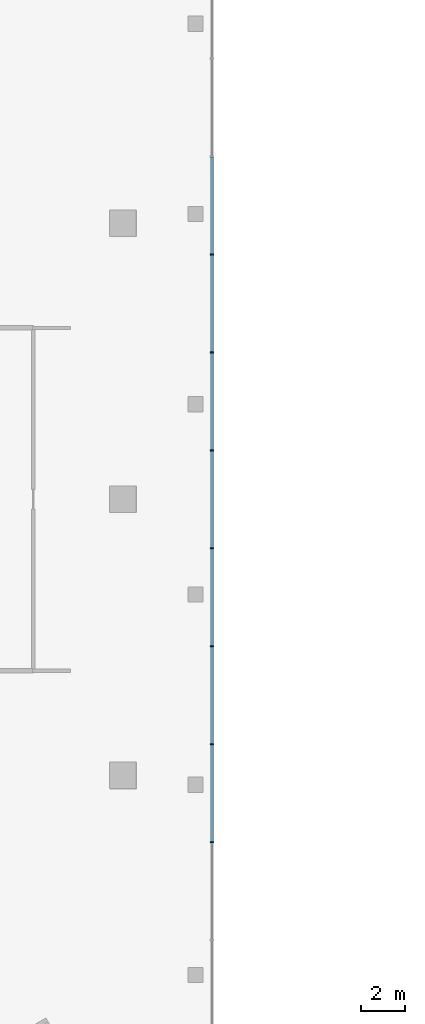
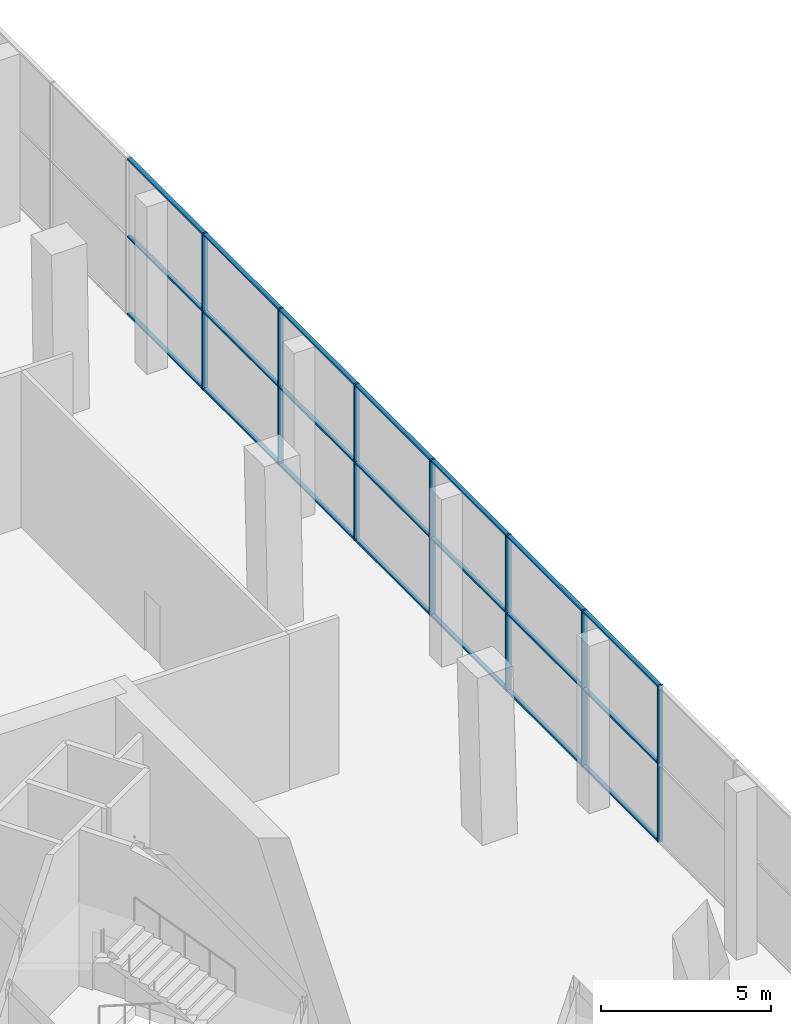
# One storey, part 10 of 51: 28 members, 1 element without a shape of its own.
"""IFC4 building model written with IfcOpenShell, lengths in metres."""

from ifc_helpers import new_model, si_unit, direction, frame, origin, origin_2d, place, context, subcontext, project, spatial, rectangle, extrude, material, layer, layer_set, material_profile, profile_set, type_object, element, aggregate, save


model = new_model("IFC4")

# Units and contexts
model_context = context("Model", 3, precision=1e-05, world=origin(), true_north=direction((0.0, 1.0)))
body_context = subcontext(model_context, "Body", "Model", "MODEL_VIEW")
ifc_project = project(units=[si_unit("LENGTHUNIT", "METRE"), si_unit("AREAUNIT", "SQUARE_METRE"), si_unit("VOLUMEUNIT", "CUBIC_METRE"), si_unit("PLANEANGLEUNIT", "RADIAN"), si_unit("MASSUNIT", "GRAM", prefix="KILO")], contexts=[model_context])

# Site, building, storey
site_placement = place(None, origin())
site = spatial("IfcSite", under=ifc_project, at=site_placement, CompositionType="ELEMENT")
building_placement = place(site_placement, origin())
building = spatial("IfcBuilding", under=site, at=building_placement, Name="Jabali Bay Hotel Tower and Convention Centre", CompositionType="ELEMENT")
storey_placement = place(building_placement, frame((0.0, 0.0, 9.0)))
storey = spatial("IfcBuildingStorey", under=building, at=storey_placement, Name="L01", CompositionType="ELEMENT", Elevation=9.0)

# Curtain wall, members
ifc_material_1 = material(Name="Aluminium and glass", Category="aluminium")
ifc_layer = layer(ifc_material_1, 0.179931640625)
ifc_layer_set = layer_set([ifc_layer], Name="Aluminium and glass")
curtain_wall_type = type_object("IfcCurtainWallType", Name="CW1 curtain wall", PredefinedType="NOTDEFINED", material=ifc_layer_set)
curtain_wall_placement = place(storey_placement, origin())
curtain_wall = element("IfcCurtainWall", 1, at=curtain_wall_placement, inside=storey, type_object=curtain_wall_type, Name="CW1 curtain wall east face L01", PredefinedType="NOTDEFINED")
ifc_material_2 = material(Name="Aluminium", Category="aluminium")
ifc_material_profile_1 = material_profile(ifc_material_2, rectangle(XDim=0.179931640625, YDim=0.06005859375, at=origin_2d()), Name="CW1 mullion 60 x 180")
ifc_profile_set_1 = profile_set([ifc_material_profile_1], Name="Aluminium")
member_type_1 = type_object("IfcMemberType", Name="CW1 mullion 60 x 180", PredefinedType="MULLION", material=ifc_profile_set_1)
member_1_placement = place(storey_placement, frame((103.5, 91.13623046875, 0.0), z_axis=(0.0, 0.0, 1.0), x_axis=(1.0, 0.0, 0.0)))
member_1 = element("IfcMember", 2, at=member_1_placement, type_object=member_type_1, Name="CW1 mullion 7", PredefinedType="MULLION", context=body_context, shape_type="SweptSolid", body=[
    extrude(rectangle(XDim=0.179931640625, YDim=0.06005859375, at=origin_2d()), origin(), (0.0, 0.0, 1.0), 5.60009765625),
])
member_2_placement = place(storey_placement, frame((103.5, 86.681884765625, 0.0), z_axis=(0.0, 0.0, 1.0), x_axis=(1.0, 0.0, 0.0)))
member_2 = element("IfcMember", 3, at=member_2_placement, type_object=member_type_1, Name="CW1 mullion 8", PredefinedType="MULLION", context=body_context, shape_type="SweptSolid", body=[
    extrude(rectangle(XDim=0.179931640625, YDim=0.06005859375, at=origin_2d()), origin(), (0.0, 0.0, 1.0), 5.60009765625),
])
member_3_placement = place(storey_placement, frame((103.5, 82.227294921875, 0.0), z_axis=(0.0, 0.0, 1.0), x_axis=(1.0, 0.0, 0.0)))
member_3 = element("IfcMember", 4, at=member_3_placement, type_object=member_type_1, Name="CW1 mullion 9", PredefinedType="MULLION", context=body_context, shape_type="SweptSolid", body=[
    extrude(rectangle(XDim=0.179931640625, YDim=0.06005859375, at=origin_2d()), origin(), (0.0, 0.0, 1.0), 5.60009765625),
])
member_4_placement = place(storey_placement, frame((103.5, 77.772705078125, 0.0), z_axis=(0.0, 0.0, 1.0), x_axis=(1.0, 0.0, 0.0)))
member_4 = element("IfcMember", 5, at=member_4_placement, type_object=member_type_1, Name="CW1 mullion 10", PredefinedType="MULLION", context=body_context, shape_type="SweptSolid", body=[
    extrude(rectangle(XDim=0.179931640625, YDim=0.06005859375, at=origin_2d()), origin(), (0.0, 0.0, 1.0), 5.60009765625),
])
member_5_placement = place(storey_placement, frame((103.5, 73.318115234375, 0.0), z_axis=(0.0, 0.0, 1.0), x_axis=(1.0, 0.0, 0.0)))
member_5 = element("IfcMember", 6, at=member_5_placement, type_object=member_type_1, Name="CW1 mullion 11", PredefinedType="MULLION", context=body_context, shape_type="SweptSolid", body=[
    extrude(rectangle(XDim=0.179931640625, YDim=0.06005859375, at=origin_2d()), origin(), (0.0, 0.0, 1.0), 5.60009765625),
])
member_6_placement = place(storey_placement, frame((103.5, 68.86376953125, 0.0), z_axis=(0.0, 0.0, 1.0), x_axis=(1.0, 0.0, 0.0)))
member_6 = element("IfcMember", 7, at=member_6_placement, type_object=member_type_1, Name="CW1 mullion 12", PredefinedType="MULLION", context=body_context, shape_type="SweptSolid", body=[
    extrude(rectangle(XDim=0.179931640625, YDim=0.06005859375, at=origin_2d()), origin(), (0.0, 0.0, 1.0), 5.60009765625),
])
member_7_placement = place(storey_placement, frame((103.5, 64.4091796875, 0.0), z_axis=(0.0, 0.0, 1.0), x_axis=(1.0, 0.0, 0.0)))
member_7 = element("IfcMember", 8, at=member_7_placement, type_object=member_type_1, Name="CW1 mullion 13", PredefinedType="MULLION", context=body_context, shape_type="SweptSolid", body=[
    extrude(rectangle(XDim=0.179931640625, YDim=0.06005859375, at=origin_2d()), origin(), (0.0, 0.0, 1.0), 5.60009765625),
])
ifc_material_profile_2 = material_profile(ifc_material_2, rectangle(XDim=0.139892578125, YDim=0.06005859375, at=origin_2d()), Name="CW1 transom 60 x 140")
ifc_profile_set_2 = profile_set([ifc_material_profile_2], Name="Aluminium")
member_type_2 = type_object("IfcMemberType", Name="CW1 transom 60 x 140", PredefinedType="USERDEFINED", material=ifc_profile_set_2)
member_8_placement = place(storey_placement, frame((103.5, 95.560791015625, 0.030029296875), z_axis=(0.0, -1.0, 0.0), x_axis=(1.0, 0.0, 0.0)))
member_8 = element("IfcMember", 9, at=member_8_placement, type_object=member_type_2, Name="CW1 transom 6.1", ObjectType="TRANSOM", PredefinedType="USERDEFINED", context=body_context, shape_type="SweptSolid", body=[
    extrude(rectangle(XDim=0.139892578125, YDim=0.06005859375, at=origin_2d()), origin(), (0.0, 0.0, 1.0), 4.39453125),
])
member_9_placement = place(storey_placement, frame((103.5, 95.560791015625, 2.800048828125), z_axis=(0.0, -1.0, 0.0), x_axis=(1.0, 0.0, 0.0)))
member_9 = element("IfcMember", 10, at=member_9_placement, type_object=member_type_2, Name="CW1 transom 6.2", ObjectType="TRANSOM", PredefinedType="USERDEFINED", context=body_context, shape_type="SweptSolid", body=[
    extrude(rectangle(XDim=0.139892578125, YDim=0.06005859375, at=origin_2d()), origin(), (0.0, 0.0, 1.0), 4.39453125),
])
member_10_placement = place(storey_placement, frame((103.5, 95.560791015625, 5.570068359375), z_axis=(0.0, -1.0, 0.0), x_axis=(1.0, 0.0, 0.0)))
member_10 = element("IfcMember", 11, at=member_10_placement, type_object=member_type_2, Name="CW1 transom 6.3", ObjectType="TRANSOM", PredefinedType="USERDEFINED", context=body_context, shape_type="SweptSolid", body=[
    extrude(rectangle(XDim=0.139892578125, YDim=0.06005859375, at=origin_2d()), origin(), (0.0, 0.0, 1.0), 4.39453125),
])
member_11_placement = place(storey_placement, frame((103.5, 91.106201171875, 0.030029296875), z_axis=(0.0, -1.0, 0.0), x_axis=(1.0, 0.0, 0.0)))
member_11 = element("IfcMember", 12, at=member_11_placement, type_object=member_type_2, Name="CW1 transom 7.1", ObjectType="TRANSOM", PredefinedType="USERDEFINED", context=body_context, shape_type="SweptSolid", body=[
    extrude(rectangle(XDim=0.139892578125, YDim=0.06005859375, at=origin_2d()), origin(), (0.0, 0.0, 1.0), 4.39453125),
])
member_12_placement = place(storey_placement, frame((103.5, 91.106201171875, 2.800048828125), z_axis=(0.0, -1.0, 0.0), x_axis=(1.0, 0.0, 0.0)))
member_12 = element("IfcMember", 13, at=member_12_placement, type_object=member_type_2, Name="CW1 transom 7.2", ObjectType="TRANSOM", PredefinedType="USERDEFINED", context=body_context, shape_type="SweptSolid", body=[
    extrude(rectangle(XDim=0.139892578125, YDim=0.06005859375, at=origin_2d()), origin(), (0.0, 0.0, 1.0), 4.39453125),
])
member_13_placement = place(storey_placement, frame((103.5, 91.106201171875, 5.570068359375), z_axis=(0.0, -1.0, 0.0), x_axis=(1.0, 0.0, 0.0)))
member_13 = element("IfcMember", 14, at=member_13_placement, type_object=member_type_2, Name="CW1 transom 7.3", ObjectType="TRANSOM", PredefinedType="USERDEFINED", context=body_context, shape_type="SweptSolid", body=[
    extrude(rectangle(XDim=0.139892578125, YDim=0.06005859375, at=origin_2d()), origin(), (0.0, 0.0, 1.0), 4.39453125),
])
member_14_placement = place(storey_placement, frame((103.5, 86.65185546875, 0.030029296875), z_axis=(0.0, -1.0, 0.0), x_axis=(1.0, 0.0, 0.0)))
member_14 = element("IfcMember", 15, at=member_14_placement, type_object=member_type_2, Name="CW1 transom 8.1", ObjectType="TRANSOM", PredefinedType="USERDEFINED", context=body_context, shape_type="SweptSolid", body=[
    extrude(rectangle(XDim=0.139892578125, YDim=0.06005859375, at=origin_2d()), origin(), (0.0, 0.0, 1.0), 4.39453125),
])
member_15_placement = place(storey_placement, frame((103.5, 86.65185546875, 2.800048828125), z_axis=(0.0, -1.0, 0.0), x_axis=(1.0, 0.0, 0.0)))
member_15 = element("IfcMember", 16, at=member_15_placement, type_object=member_type_2, Name="CW1 transom 8.2", ObjectType="TRANSOM", PredefinedType="USERDEFINED", context=body_context, shape_type="SweptSolid", body=[
    extrude(rectangle(XDim=0.139892578125, YDim=0.06005859375, at=origin_2d()), origin(), (0.0, 0.0, 1.0), 4.39453125),
])
member_16_placement = place(storey_placement, frame((103.5, 86.65185546875, 5.570068359375), z_axis=(0.0, -1.0, 0.0), x_axis=(1.0, 0.0, 0.0)))
member_16 = element("IfcMember", 17, at=member_16_placement, type_object=member_type_2, Name="CW1 transom 8.3", ObjectType="TRANSOM", PredefinedType="USERDEFINED", context=body_context, shape_type="SweptSolid", body=[
    extrude(rectangle(XDim=0.139892578125, YDim=0.06005859375, at=origin_2d()), origin(), (0.0, 0.0, 1.0), 4.39453125),
])
member_17_placement = place(storey_placement, frame((103.5, 82.197265625, 0.030029296875), z_axis=(0.0, -1.0, 0.0), x_axis=(1.0, 0.0, 0.0)))
member_17 = element("IfcMember", 18, at=member_17_placement, type_object=member_type_2, Name="CW1 transom 9.1", ObjectType="TRANSOM", PredefinedType="USERDEFINED", context=body_context, shape_type="SweptSolid", body=[
    extrude(rectangle(XDim=0.139892578125, YDim=0.06005859375, at=origin_2d()), origin(), (0.0, 0.0, 1.0), 4.39453125),
])
member_18_placement = place(storey_placement, frame((103.5, 82.197265625, 2.800048828125), z_axis=(0.0, -1.0, 0.0), x_axis=(1.0, 0.0, 0.0)))
member_18 = element("IfcMember", 19, at=member_18_placement, type_object=member_type_2, Name="CW1 transom 9.2", ObjectType="TRANSOM", PredefinedType="USERDEFINED", context=body_context, shape_type="SweptSolid", body=[
    extrude(rectangle(XDim=0.139892578125, YDim=0.06005859375, at=origin_2d()), origin(), (0.0, 0.0, 1.0), 4.39453125),
])
member_19_placement = place(storey_placement, frame((103.5, 82.197265625, 5.570068359375), z_axis=(0.0, -1.0, 0.0), x_axis=(1.0, 0.0, 0.0)))
member_19 = element("IfcMember", 20, at=member_19_placement, type_object=member_type_2, Name="CW1 transom 9.3", ObjectType="TRANSOM", PredefinedType="USERDEFINED", context=body_context, shape_type="SweptSolid", body=[
    extrude(rectangle(XDim=0.139892578125, YDim=0.06005859375, at=origin_2d()), origin(), (0.0, 0.0, 1.0), 4.39453125),
])
member_20_placement = place(storey_placement, frame((103.5, 77.74267578125, 0.030029296875), z_axis=(0.0, -1.0, 0.0), x_axis=(1.0, 0.0, 0.0)))
member_20 = element("IfcMember", 21, at=member_20_placement, type_object=member_type_2, Name="CW1 transom 10.1", ObjectType="TRANSOM", PredefinedType="USERDEFINED", context=body_context, shape_type="SweptSolid", body=[
    extrude(rectangle(XDim=0.139892578125, YDim=0.06005859375, at=origin_2d()), origin(), (0.0, 0.0, 1.0), 4.39453125),
])
member_21_placement = place(storey_placement, frame((103.5, 77.74267578125, 2.800048828125), z_axis=(0.0, -1.0, 0.0), x_axis=(1.0, 0.0, 0.0)))
member_21 = element("IfcMember", 22, at=member_21_placement, type_object=member_type_2, Name="CW1 transom 10.2", ObjectType="TRANSOM", PredefinedType="USERDEFINED", context=body_context, shape_type="SweptSolid", body=[
    extrude(rectangle(XDim=0.139892578125, YDim=0.06005859375, at=origin_2d()), origin(), (0.0, 0.0, 1.0), 4.39453125),
])
member_22_placement = place(storey_placement, frame((103.5, 77.74267578125, 5.570068359375), z_axis=(0.0, -1.0, 0.0), x_axis=(1.0, 0.0, 0.0)))
member_22 = element("IfcMember", 23, at=member_22_placement, type_object=member_type_2, Name="CW1 transom 10.3", ObjectType="TRANSOM", PredefinedType="USERDEFINED", context=body_context, shape_type="SweptSolid", body=[
    extrude(rectangle(XDim=0.139892578125, YDim=0.06005859375, at=origin_2d()), origin(), (0.0, 0.0, 1.0), 4.39453125),
])
member_23_placement = place(storey_placement, frame((103.5, 73.288330078125, 0.030029296875), z_axis=(0.0, -1.0, 0.0), x_axis=(1.0, 0.0, 0.0)))
member_23 = element("IfcMember", 24, at=member_23_placement, type_object=member_type_2, Name="CW1 transom 11.1", ObjectType="TRANSOM", PredefinedType="USERDEFINED", context=body_context, shape_type="SweptSolid", body=[
    extrude(rectangle(XDim=0.139892578125, YDim=0.06005859375, at=origin_2d()), origin(), (0.0, 0.0, 1.0), 4.39453125),
])
member_24_placement = place(storey_placement, frame((103.5, 73.288330078125, 2.800048828125), z_axis=(0.0, -1.0, 0.0), x_axis=(1.0, 0.0, 0.0)))
member_24 = element("IfcMember", 25, at=member_24_placement, type_object=member_type_2, Name="CW1 transom 11.2", ObjectType="TRANSOM", PredefinedType="USERDEFINED", context=body_context, shape_type="SweptSolid", body=[
    extrude(rectangle(XDim=0.139892578125, YDim=0.06005859375, at=origin_2d()), origin(), (0.0, 0.0, 1.0), 4.39453125),
])
member_25_placement = place(storey_placement, frame((103.5, 73.288330078125, 5.570068359375), z_axis=(0.0, -1.0, 0.0), x_axis=(1.0, 0.0, 0.0)))
member_25 = element("IfcMember", 26, at=member_25_placement, type_object=member_type_2, Name="CW1 transom 11.3", ObjectType="TRANSOM", PredefinedType="USERDEFINED", context=body_context, shape_type="SweptSolid", body=[
    extrude(rectangle(XDim=0.139892578125, YDim=0.06005859375, at=origin_2d()), origin(), (0.0, 0.0, 1.0), 4.39453125),
])
member_26_placement = place(storey_placement, frame((103.5, 68.833740234375, 0.030029296875), z_axis=(0.0, -1.0, 0.0), x_axis=(1.0, 0.0, 0.0)))
member_26 = element("IfcMember", 27, at=member_26_placement, type_object=member_type_2, Name="CW1 transom 12.1", ObjectType="TRANSOM", PredefinedType="USERDEFINED", context=body_context, shape_type="SweptSolid", body=[
    extrude(rectangle(XDim=0.139892578125, YDim=0.06005859375, at=origin_2d()), origin(), (0.0, 0.0, 1.0), 4.39453125),
])
member_27_placement = place(storey_placement, frame((103.5, 68.833740234375, 2.800048828125), z_axis=(0.0, -1.0, 0.0), x_axis=(1.0, 0.0, 0.0)))
member_27 = element("IfcMember", 28, at=member_27_placement, type_object=member_type_2, Name="CW1 transom 12.2", ObjectType="TRANSOM", PredefinedType="USERDEFINED", context=body_context, shape_type="SweptSolid", body=[
    extrude(rectangle(XDim=0.139892578125, YDim=0.06005859375, at=origin_2d()), origin(), (0.0, 0.0, 1.0), 4.39453125),
])
member_28_placement = place(storey_placement, frame((103.5, 68.833740234375, 5.570068359375), z_axis=(0.0, -1.0, 0.0), x_axis=(1.0, 0.0, 0.0)))
member_28 = element("IfcMember", 29, at=member_28_placement, type_object=member_type_2, Name="CW1 transom 12.3", ObjectType="TRANSOM", PredefinedType="USERDEFINED", context=body_context, shape_type="SweptSolid", body=[
    extrude(rectangle(XDim=0.139892578125, YDim=0.06005859375, at=origin_2d()), origin(), (0.0, 0.0, 1.0), 4.39453125),
])
aggregate(curtain_wall, [member_1, member_2, member_3, member_4, member_5, member_6, member_7, member_8, member_9, member_10, member_11, member_12, member_13, member_14, member_15, member_16, member_17, member_18, member_19, member_20, member_21, member_22, member_23, member_24, member_25, member_26, member_27, member_28])

save(model, "model.ifc")
